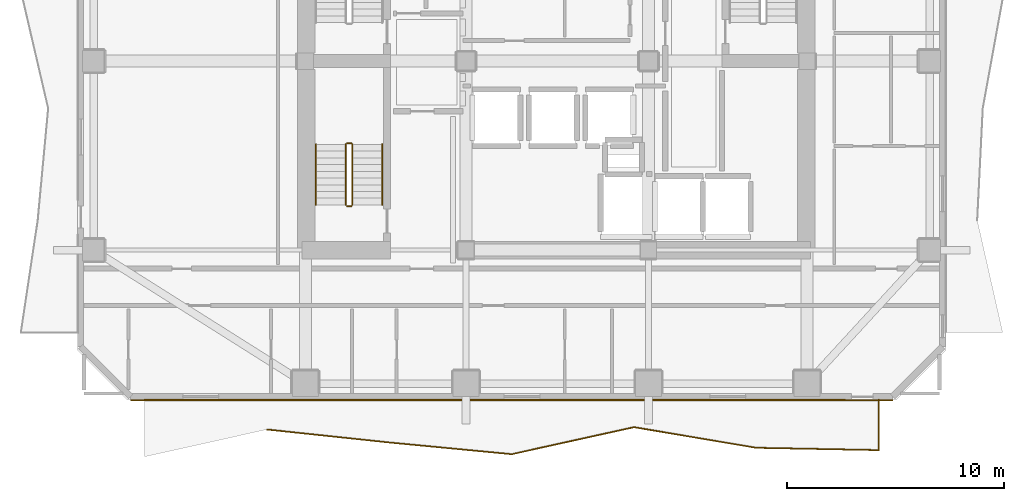
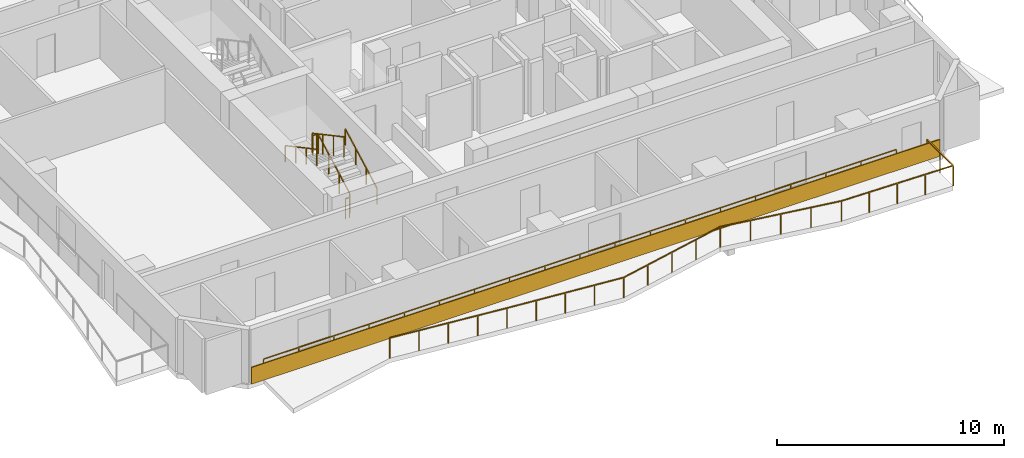
# One storey, part 7 of 10: 8 railings, 1 covering.
"""IFC4 building model written with IfcOpenShell, lengths in metres."""

from ifc_helpers import new_model, si_unit, direction, frame, frame_2d, origin, origin_2d, place, context, subcontext, project, spatial, rectangle, extrude, material, layer, layer_set, type_object, element, save


model = new_model("IFC4")

# Units and contexts
model_context = context("Model", 3, precision=1e-05, world=origin(), true_north=direction((0.0, 1.0)))
body_context = subcontext(model_context, "Body", "Model", "MODEL_VIEW")
ifc_project = project(units=[si_unit("LENGTHUNIT", "METRE"), si_unit("AREAUNIT", "SQUARE_METRE"), si_unit("VOLUMEUNIT", "CUBIC_METRE"), si_unit("PLANEANGLEUNIT", "RADIAN"), si_unit("MASSUNIT", "GRAM", prefix="KILO")], contexts=[model_context])

# Site, building, storey
site_placement = place(None, origin())
site = spatial("IfcSite", under=ifc_project, at=site_placement, CompositionType="ELEMENT")
building_placement = place(site_placement, origin())
building = spatial("IfcBuilding", under=site, at=building_placement, Name="Solanera Arch Residences", CompositionType="ELEMENT")
storey_placement = place(building_placement, frame((0.0, 0.0, 186.840087890625)))
storey = spatial("IfcBuildingStorey", under=building, at=storey_placement, Name="L54", CompositionType="ELEMENT", Elevation=186.840087890625)

# Railings
ifc_material_1 = material(Name="Steel S355 (ASTM A992 / A572 Grade 50)", Category="steel")
railing_type_1 = type_object("IfcRailingType", Name="Balustrade Railing BL-1100", PredefinedType="BALUSTRADE", material=ifc_material_1)
railing_1_placement = place(storey_placement, frame((11.633056640625, 13.739990234375, 0.0)))
element("IfcRailing", 1, at=railing_1_placement, inside=storey, type_object=railing_type_1, Name="L54 S Balcony Balustrade 1", PredefinedType="BALUSTRADE", context=body_context, shape_type="SweptSolid", body=[
    extrude(rectangle(XDim=0.048095703125, YDim=0.048095703125, at=origin_2d()), frame((0.0, 0.0, 1.09619140625), z_axis=(0.994397975107, -0.105700837758, 0.0), x_axis=(0.105700837758, 0.994397975107, 0.0)), (0.0, 0.0, 1.0), 5.665771484375),
    extrude(rectangle(XDim=0.048095703125, YDim=0.048095703125, at=origin_2d()), frame((5.634033203125, -0.598876953125, 1.09619140625), z_axis=(0.995451931795, -0.095265164069, 0.0), x_axis=(0.095265164069, 0.995451931795, 0.0)), (0.0, 0.0, 1.0), 5.658447265625),
    extrude(rectangle(XDim=0.048095703125, YDim=0.048095703125, at=origin_2d()), frame((11.266845703125, -1.137939453125, 1.09619140625), z_axis=(0.976475964674, 0.215626274867, 0.0), x_axis=(-0.215626274867, 0.976475964674, 0.0)), (0.0, 0.0, 1.0), 5.768798828125),
    extrude(rectangle(XDim=0.048095703125, YDim=0.048095703125, at=origin_2d()), frame((16.89990234375, 0.10595703125, 1.09619140625), z_axis=(0.986109512557, -0.166096445609, 0.0), x_axis=(0.166096445609, 0.986109512557, 0.0)), (0.0, 0.0, 1.0), 5.71337890625),
    extrude(rectangle(XDim=0.048095703125, YDim=0.048095703125, at=origin_2d()), frame((22.533935546875, -0.843017578125, 1.09619140625), z_axis=(0.999816563017, -0.019153075927, 0.0), x_axis=(0.019153075927, 0.999816563017, 0.0)), (0.0, 0.0, 1.0), 5.634033203125),
    extrude(rectangle(XDim=0.048095703125, YDim=0.048095703125, at=origin_2d()), frame((28.1669921875, -0.950927734375, 1.09619140625), z_axis=(0.0, 1.0, 0.0), x_axis=(-1.0, 0.0, 0.0)), (0.0, 0.0, 1.0), 2.3310546875),
    extrude(rectangle(XDim=0.0419921875, YDim=0.0419921875, at=origin_2d()), origin(), (0.0, 0.0, 1.0), 1.072021484375),
    extrude(rectangle(XDim=0.0419921875, YDim=0.0419921875, at=origin_2d()), frame((1.408447265625, -0.149658203125, 0.0)), (0.0, 0.0, 1.0), 1.072021484375),
    extrude(rectangle(XDim=0.0419921875, YDim=0.0419921875, at=origin_2d()), frame((2.81689453125, -0.29931640625, 0.0)), (0.0, 0.0, 1.0), 1.072021484375),
    extrude(rectangle(XDim=0.0419921875, YDim=0.0419921875, at=origin_2d()), frame((4.2255859375, -0.44921875, 0.0)), (0.0, 0.0, 1.0), 1.072021484375),
    extrude(rectangle(XDim=0.0419921875, YDim=0.0419921875, at=origin_2d()), frame((5.634033203125, -0.598876953125, 0.0)), (0.0, 0.0, 1.0), 1.072021484375),
    extrude(rectangle(XDim=0.0419921875, YDim=0.0419921875, at=origin_2d()), frame((7.042236328125, -0.733642578125, 0.0)), (0.0, 0.0, 1.0), 1.072021484375),
    extrude(rectangle(XDim=0.0419921875, YDim=0.0419921875, at=origin_2d()), frame((8.450439453125, -0.868408203125, 0.0)), (0.0, 0.0, 1.0), 1.072021484375),
    extrude(rectangle(XDim=0.0419921875, YDim=0.0419921875, at=origin_2d()), frame((9.858642578125, -1.003173828125, 0.0)), (0.0, 0.0, 1.0), 1.072021484375),
    extrude(rectangle(XDim=0.0419921875, YDim=0.0419921875, at=origin_2d()), frame((11.266845703125, -1.137939453125, 0.0)), (0.0, 0.0, 1.0), 1.072021484375),
    extrude(rectangle(XDim=0.0419921875, YDim=0.0419921875, at=origin_2d()), frame((12.675048828125, -0.826904296875, 0.0)), (0.0, 0.0, 1.0), 1.072021484375),
    extrude(rectangle(XDim=0.0419921875, YDim=0.0419921875, at=origin_2d()), frame((14.08349609375, -0.51611328125, 0.0)), (0.0, 0.0, 1.0), 1.072021484375),
    extrude(rectangle(XDim=0.0419921875, YDim=0.0419921875, at=origin_2d()), frame((15.49169921875, -0.205078125, 0.0)), (0.0, 0.0, 1.0), 1.072021484375),
    extrude(rectangle(XDim=0.0419921875, YDim=0.0419921875, at=origin_2d()), frame((16.89990234375, 0.10595703125, 0.0)), (0.0, 0.0, 1.0), 1.072021484375),
    extrude(rectangle(XDim=0.0419921875, YDim=0.0419921875, at=origin_2d()), frame((18.308349609375, -0.13134765625, 0.0)), (0.0, 0.0, 1.0), 1.072021484375),
    extrude(rectangle(XDim=0.0419921875, YDim=0.0419921875, at=origin_2d()), frame((19.716796875, -0.36865234375, 0.0)), (0.0, 0.0, 1.0), 1.072021484375),
    extrude(rectangle(XDim=0.0419921875, YDim=0.0419921875, at=origin_2d()), frame((21.12548828125, -0.605712890625, 0.0)), (0.0, 0.0, 1.0), 1.072021484375),
    extrude(rectangle(XDim=0.0419921875, YDim=0.0419921875, at=origin_2d()), frame((22.533935546875, -0.843017578125, 0.0)), (0.0, 0.0, 1.0), 1.072021484375),
    extrude(rectangle(XDim=0.0419921875, YDim=0.0419921875, at=origin_2d()), frame((23.942138671875, -0.8701171875, 0.0)), (0.0, 0.0, 1.0), 1.072021484375),
    extrude(rectangle(XDim=0.0419921875, YDim=0.0419921875, at=origin_2d()), frame((25.3505859375, -0.89697265625, 0.0)), (0.0, 0.0, 1.0), 1.072021484375),
    extrude(rectangle(XDim=0.0419921875, YDim=0.0419921875, at=origin_2d()), frame((26.7587890625, -0.923828125, 0.0)), (0.0, 0.0, 1.0), 1.072021484375),
    extrude(rectangle(XDim=0.0419921875, YDim=0.0419921875, at=origin_2d()), frame((28.1669921875, -0.950927734375, 0.0)), (0.0, 0.0, 1.0), 1.072021484375),
    extrude(rectangle(XDim=0.0419921875, YDim=0.0419921875, at=origin_2d()), frame((28.1669921875, 0.214599609375, 0.0)), (0.0, 0.0, 1.0), 1.072021484375),
    extrude(rectangle(XDim=0.0419921875, YDim=0.0419921875, at=origin_2d()), frame((28.1669921875, 1.380126953125, 0.0)), (0.0, 0.0, 1.0), 1.072021484375),
])
railing_2_placement = place(storey_placement, frame((38.240966796875, 15.1201171875, 0.0)))
element("IfcRailing", 2, at=railing_2_placement, inside=storey, type_object=railing_type_1, Name="L54 S Balcony Balustrade 2", PredefinedType="BALUSTRADE", context=body_context, shape_type="SweptSolid", body=[
    extrude(rectangle(XDim=0.048095703125, YDim=0.048095703125, at=origin_2d()), frame((0.0, 0.0, 1.09619140625), z_axis=(-1.0, 0.0, 0.0), x_axis=(0.0, -1.0, 0.0)), (0.0, 0.0, 1.0), 32.240966796875),
    extrude(rectangle(XDim=0.0419921875, YDim=0.0419921875, at=origin_2d()), origin(), (0.0, 0.0, 1.0), 1.072021484375),
    extrude(rectangle(XDim=0.0419921875, YDim=0.0419921875, at=origin_2d()), frame((-1.791259765625, 0.0, 0.0)), (0.0, 0.0, 1.0), 1.072021484375),
    extrude(rectangle(XDim=0.0419921875, YDim=0.0419921875, at=origin_2d()), frame((-3.582275390625, 0.0, 0.0)), (0.0, 0.0, 1.0), 1.072021484375),
    extrude(rectangle(XDim=0.0419921875, YDim=0.0419921875, at=origin_2d()), frame((-5.37353515625, 0.0, 0.0)), (0.0, 0.0, 1.0), 1.072021484375),
    extrude(rectangle(XDim=0.0419921875, YDim=0.0419921875, at=origin_2d()), frame((-7.16455078125, 0.0, 0.0)), (0.0, 0.0, 1.0), 1.072021484375),
    extrude(rectangle(XDim=0.0419921875, YDim=0.0419921875, at=origin_2d()), frame((-8.955810546875, 0.0, 0.0)), (0.0, 0.0, 1.0), 1.072021484375),
    extrude(rectangle(XDim=0.0419921875, YDim=0.0419921875, at=origin_2d()), frame((-10.7470703125, 0.0, 0.0)), (0.0, 0.0, 1.0), 1.072021484375),
    extrude(rectangle(XDim=0.0419921875, YDim=0.0419921875, at=origin_2d()), frame((-12.5380859375, 0.0, 0.0)), (0.0, 0.0, 1.0), 1.072021484375),
    extrude(rectangle(XDim=0.0419921875, YDim=0.0419921875, at=origin_2d()), frame((-14.329345703125, 0.0, 0.0)), (0.0, 0.0, 1.0), 1.072021484375),
    extrude(rectangle(XDim=0.0419921875, YDim=0.0419921875, at=origin_2d()), frame((-16.12060546875, 0.0, 0.0)), (0.0, 0.0, 1.0), 1.072021484375),
    extrude(rectangle(XDim=0.0419921875, YDim=0.0419921875, at=origin_2d()), frame((-17.91162109375, 0.0, 0.0)), (0.0, 0.0, 1.0), 1.072021484375),
    extrude(rectangle(XDim=0.0419921875, YDim=0.0419921875, at=origin_2d()), frame((-19.702880859375, 0.0, 0.0)), (0.0, 0.0, 1.0), 1.072021484375),
    extrude(rectangle(XDim=0.0419921875, YDim=0.0419921875, at=origin_2d()), frame((-21.493896484375, 0.0, 0.0)), (0.0, 0.0, 1.0), 1.072021484375),
    extrude(rectangle(XDim=0.0419921875, YDim=0.0419921875, at=origin_2d()), frame((-23.28515625, 0.0, 0.0)), (0.0, 0.0, 1.0), 1.072021484375),
    extrude(rectangle(XDim=0.0419921875, YDim=0.0419921875, at=origin_2d()), frame((-25.076416015625, 0.0, 0.0)), (0.0, 0.0, 1.0), 1.072021484375),
    extrude(rectangle(XDim=0.0419921875, YDim=0.0419921875, at=origin_2d()), frame((-26.867431640625, 0.0, 0.0)), (0.0, 0.0, 1.0), 1.072021484375),
    extrude(rectangle(XDim=0.0419921875, YDim=0.0419921875, at=origin_2d()), frame((-28.65869140625, 0.0, 0.0)), (0.0, 0.0, 1.0), 1.072021484375),
    extrude(rectangle(XDim=0.0419921875, YDim=0.0419921875, at=origin_2d()), frame((-30.44970703125, 0.0, 0.0)), (0.0, 0.0, 1.0), 1.072021484375),
    extrude(rectangle(XDim=0.0419921875, YDim=0.0419921875, at=origin_2d()), frame((-32.240966796875, 0.0, 0.0)), (0.0, 0.0, 1.0), 1.072021484375),
])

# Covering
ifc_material_2 = material(Name="Philippine Adobe Travertine Cladding", Category="masonry")
ifc_layer = layer(ifc_material_2, 0.06005859375)
ifc_layer_set = layer_set([ifc_layer], Name="Philippine Adobe Travertine Cladding")
covering_type = type_object("IfcCoveringType", Name="Precast Pier Stone Cladding CLD-60", PredefinedType="CLADDING", material=ifc_layer_set)
covering_placement = place(storey_placement, frame((40.445068359375, 15.0849609375, 0.0), z_axis=(0.0, 0.0, 1.0), x_axis=(-1.0, 0.0, 0.0)))
element("IfcCovering", 3, at=covering_placement, inside=storey, type_object=covering_type, Name="L54 S Precast Spandrel Stone Band", PredefinedType="CLADDING", context=body_context, shape_type="SweptSolid", body=[
    extrude(rectangle(XDim=35.090087890625, YDim=0.06005859375, at=frame_2d((17.544921875, 0.0))), origin(), (0.0, 0.0, 1.0), 0.89990234375),
])

# Railings
ifc_material_3 = material(Name="Steel S355 (ASTM A992 / A572 Grade 50)", Category="steel")
railing_type_2 = type_object("IfcRailingType", Name="Stair Guardrail GR-1100", PredefinedType="GUARDRAIL", material=ifc_material_3)
railing_3_placement = place(storey_placement, frame((15.570068359375, 24.080078125, 0.15087890625)))
element("IfcRailing", 4, at=railing_3_placement, inside=storey, type_object=railing_type_2, Name="L54 ST-T3 stair guard 1", PredefinedType="GUARDRAIL", context=body_context, shape_type="SweptSolid", body=[
    extrude(rectangle(XDim=0.048095703125, YDim=0.048095703125, at=origin_2d()), frame((0.0, 0.0, 1.076171875), z_axis=(0.0, 0.881548766853, 0.472092969298), x_axis=(-1.0, 0.0, 0.0)), (0.0, 0.0, 1.0), 3.1650390625),
    extrude(rectangle(XDim=0.0419921875, YDim=0.0419921875, at=origin_2d()), origin(), (0.0, 0.0, 1.0), 1.052001953125),
    extrude(rectangle(XDim=0.0419921875, YDim=0.0419921875, at=origin_2d()), frame((0.0, 0.929931640625, 0.498046875)), (0.0, 0.0, 1.0), 1.052001953125),
    extrude(rectangle(XDim=0.0419921875, YDim=0.0419921875, at=origin_2d()), frame((0.0, 1.860107421875, 0.99609375)), (0.0, 0.0, 1.0), 1.052001953125),
    extrude(rectangle(XDim=0.0419921875, YDim=0.0419921875, at=origin_2d()), frame((0.0, 2.7900390625, 1.494140625)), (0.0, 0.0, 1.0), 1.052001953125),
])
railing_4_placement = place(storey_placement, frame((15.52001953125, 26.919921875, 1.64501953125)))
element("IfcRailing", 5, at=railing_4_placement, inside=storey, type_object=railing_type_2, Name="L54 ST-T3 stair guard 2", PredefinedType="GUARDRAIL", context=body_context, shape_type="SweptSolid", body=[
    extrude(rectangle(XDim=0.048095703125, YDim=0.048095703125, at=origin_2d()), frame((0.0, 0.0, 1.076171875), z_axis=(-1.0, 0.0, 0.0), x_axis=(0.0, -1.0, 0.0)), (0.0, 0.0, 1.0), 0.199951171875),
    extrude(rectangle(XDim=0.0419921875, YDim=0.0419921875, at=origin_2d()), origin(), (0.0, 0.0, 1.0), 1.052001953125),
    extrude(rectangle(XDim=0.0419921875, YDim=0.0419921875, at=origin_2d()), frame((-0.199951171875, 0.0, 0.0)), (0.0, 0.0, 1.0), 1.052001953125),
])
railing_5_placement = place(storey_placement, frame((15.27001953125, 26.8701171875, 1.810791015625)))
element("IfcRailing", 6, at=railing_5_placement, inside=storey, type_object=railing_type_2, Name="L54 ST-T3 stair guard 3", PredefinedType="GUARDRAIL", context=body_context, shape_type="SweptSolid", body=[
    extrude(rectangle(XDim=0.048095703125, YDim=0.048095703125, at=origin_2d()), frame((0.0, 0.0, 1.076171875), z_axis=(0.0, -0.881548766853, 0.472092969298), x_axis=(1.0, 0.0, 0.0)), (0.0, 0.0, 1.0), 3.1650390625),
    extrude(rectangle(XDim=0.0419921875, YDim=0.0419921875, at=origin_2d()), origin(), (0.0, 0.0, 1.0), 1.052001953125),
    extrude(rectangle(XDim=0.0419921875, YDim=0.0419921875, at=origin_2d()), frame((0.0, -0.929931640625, 0.498046875)), (0.0, 0.0, 1.0), 1.052001953125),
    extrude(rectangle(XDim=0.0419921875, YDim=0.0419921875, at=origin_2d()), frame((0.0, -1.860107421875, 0.99609375)), (0.0, 0.0, 1.0), 1.052001953125),
    extrude(rectangle(XDim=0.0419921875, YDim=0.0419921875, at=origin_2d()), frame((0.0, -2.7900390625, 1.494140625)), (0.0, 0.0, 1.0), 1.052001953125),
])
railing_6_placement = place(storey_placement, frame((15.52001953125, 24.030029296875, -0.01513671875)))
element("IfcRailing", 7, at=railing_6_placement, inside=storey, type_object=railing_type_2, Name="L54 ST-T3 stair guard 4", PredefinedType="GUARDRAIL", context=body_context, shape_type="SweptSolid", body=[
    extrude(rectangle(XDim=0.048095703125, YDim=0.048095703125, at=origin_2d()), frame((0.0, 0.0, 1.076171875), z_axis=(-1.0, 0.0, 0.0), x_axis=(0.0, -1.0, 0.0)), (0.0, 0.0, 1.0), 0.199951171875),
    extrude(rectangle(XDim=0.0419921875, YDim=0.0419921875, at=origin_2d()), origin(), (0.0, 0.0, 1.0), 1.052001953125),
    extrude(rectangle(XDim=0.0419921875, YDim=0.0419921875, at=origin_2d()), frame((-0.199951171875, 0.0, 0.0)), (0.0, 0.0, 1.0), 1.052001953125),
])
ifc_material_4 = material(Name="Steel S355 (ASTM A992 / A572 Grade 50)", Category="steel")
railing_type_3 = type_object("IfcRailingType", Name="Stair Wall Handrail HR-920", PredefinedType="HANDRAIL", material=ifc_material_4)
railing_7_placement = place(storey_placement, frame((16.949951171875, 24.080078125, 0.166015625)))
element("IfcRailing", 8, at=railing_7_placement, inside=storey, type_object=railing_type_3, Name="L54 ST-T3 stair handrail 1", PredefinedType="HANDRAIL", context=body_context, shape_type="SweptSolid", body=[
    extrude(rectangle(XDim=0.048095703125, YDim=0.048095703125, at=origin_2d()), frame((0.0, 0.0, 0.8759765625), z_axis=(0.0, 0.881580869306, 0.472033018838), x_axis=(-1.0, 0.0, 0.0)), (0.0, 0.0, 1.0), 3.164794921875),
    extrude(rectangle(XDim=0.0419921875, YDim=0.0419921875, at=origin_2d()), origin(), (0.0, 0.0, 1.0), 0.851806640625),
    extrude(rectangle(XDim=0.0419921875, YDim=0.0419921875, at=origin_2d()), frame((0.0, 0.929931640625, 0.498046875)), (0.0, 0.0, 1.0), 0.851806640625),
    extrude(rectangle(XDim=0.0419921875, YDim=0.0419921875, at=origin_2d()), frame((0.0, 1.860107421875, 0.995849609375)), (0.0, 0.0, 1.0), 0.851806640625),
    extrude(rectangle(XDim=0.0419921875, YDim=0.0419921875, at=origin_2d()), frame((0.0, 2.7900390625, 1.493896484375)), (0.0, 0.0, 1.0), 0.851806640625),
])
railing_8_placement = place(storey_placement, frame((13.889892578125, 26.8701171875, 1.825927734375)))
element("IfcRailing", 9, at=railing_8_placement, inside=storey, type_object=railing_type_3, Name="L54 ST-T3 stair handrail 2", PredefinedType="HANDRAIL", context=body_context, shape_type="SweptSolid", body=[
    extrude(rectangle(XDim=0.048095703125, YDim=0.048095703125, at=origin_2d()), frame((0.0, 0.0, 0.8759765625), z_axis=(0.0, -0.881580869306, 0.472033018838), x_axis=(1.0, 0.0, 0.0)), (0.0, 0.0, 1.0), 3.164794921875),
    extrude(rectangle(XDim=0.0419921875, YDim=0.0419921875, at=origin_2d()), origin(), (0.0, 0.0, 1.0), 0.851806640625),
    extrude(rectangle(XDim=0.0419921875, YDim=0.0419921875, at=origin_2d()), frame((0.0, -0.929931640625, 0.498046875)), (0.0, 0.0, 1.0), 0.851806640625),
    extrude(rectangle(XDim=0.0419921875, YDim=0.0419921875, at=origin_2d()), frame((0.0, -1.860107421875, 0.995849609375)), (0.0, 0.0, 1.0), 0.851806640625),
    extrude(rectangle(XDim=0.0419921875, YDim=0.0419921875, at=origin_2d()), frame((0.0, -2.7900390625, 1.493896484375)), (0.0, 0.0, 1.0), 0.851806640625),
])

save(model, "model.ifc")
